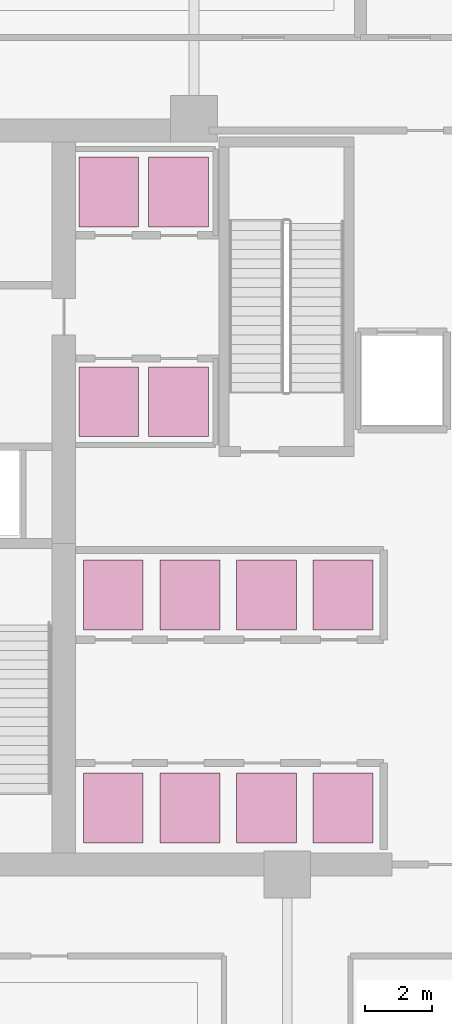
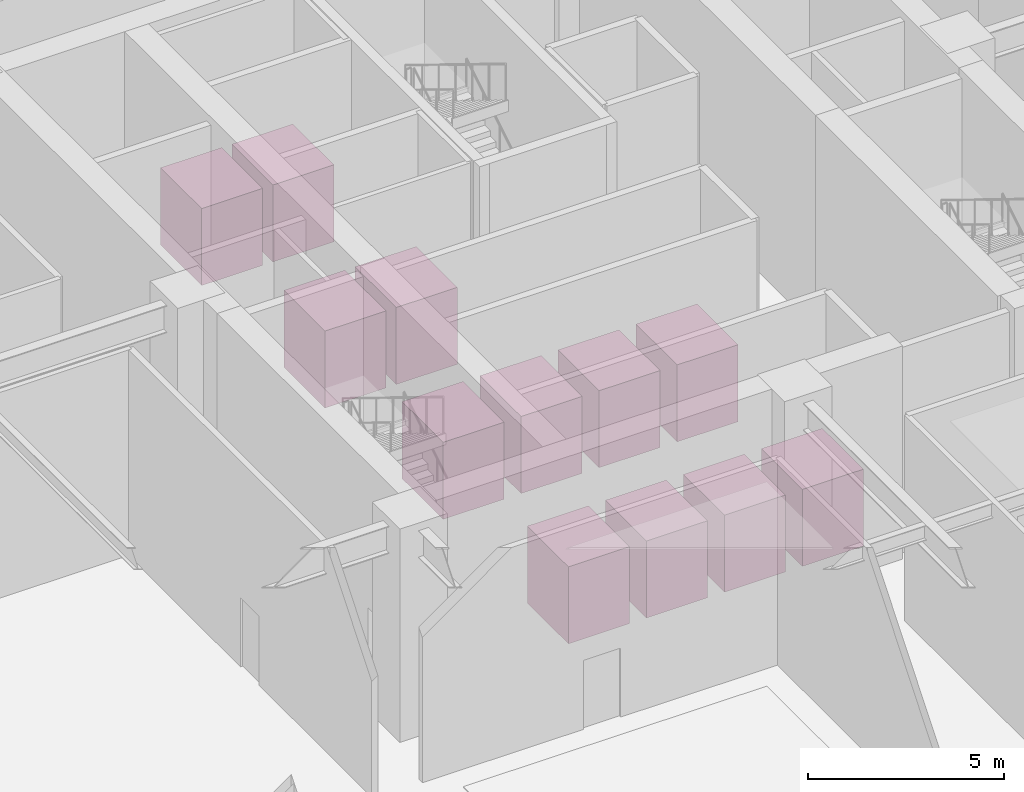
# One storey, part 17 of 17: 12 transport elements.
"""IFC4 building model written with IfcOpenShell, lengths in metres."""

from ifc_helpers import new_model, si_unit, direction, frame, origin, origin_2d, place, context, subcontext, project, spatial, rectangle, extrude, material, type_object, element, save


model = new_model("IFC4")

# Units and contexts
model_context = context("Model", 3, precision=1e-05, world=origin(), true_north=direction((0.0, 1.0)))
body_context = subcontext(model_context, "Body", "Model", "MODEL_VIEW")
ifc_project = project(units=[si_unit("LENGTHUNIT", "METRE"), si_unit("AREAUNIT", "SQUARE_METRE"), si_unit("VOLUMEUNIT", "CUBIC_METRE"), si_unit("PLANEANGLEUNIT", "RADIAN"), si_unit("MASSUNIT", "GRAM", prefix="KILO")], contexts=[model_context])

# Site, building, storey
site_placement = place(None, origin())
site = spatial("IfcSite", under=ifc_project, at=site_placement, CompositionType="ELEMENT")
building_placement = place(site_placement, origin())
building = spatial("IfcBuilding", under=site, at=building_placement, Name="Nhamokura Convention Tower", CompositionType="ELEMENT")
storey_placement = place(building_placement, origin())
storey = spatial("IfcBuildingStorey", under=building, at=storey_placement, Name="L00", CompositionType="ELEMENT", Elevation=0.0)

# Transport elements
ifc_material = material(Name="Anodised bronze stainless steel", Category="steel")
transport_element_type = type_object("IfcTransportElementType", Name="PassengerLiftCar_1800x2100", PredefinedType="ELEVATOR", material=ifc_material)
for number, where, z_axis, x_axis, name in (
    (1, (26.77490234375, 22.64990234375, 0.0), (0.0, 0.0, 1.0), (1.0, 0.0, 0.0), "Elevator Car LP-01"),
    (2, (29.074951171875, 22.64990234375, 0.0), (0.0, 0.0, 1.0), (1.0, 0.0, 0.0), "Elevator Car LP-02"),
    (3, (31.375, 22.64990234375, 0.0), (0.0, 0.0, 1.0), (1.0, 0.0, 0.0), "Elevator Car LP-03"),
    (4, (33.675048828125, 22.64990234375, 0.0), (0.0, 0.0, 1.0), (1.0, 0.0, 0.0), "Elevator Car LP-04"),
    (5, (26.77490234375, 29.050048828125, 0.0), (0.0, 0.0, 1.0), (1.0, 0.0, 0.0), "Elevator Car LP-05"),
    (6, (29.074951171875, 29.050048828125, 0.0), (0.0, 0.0, 1.0), (1.0, 0.0, 0.0), "Elevator Car LP-06"),
    (7, (31.375, 29.050048828125, 0.0), (0.0, 0.0, 1.0), (1.0, 0.0, 0.0), "Elevator Car LP-07"),
    (8, (33.675048828125, 29.050048828125, 0.0), (0.0, 0.0, 1.0), (1.0, 0.0, 0.0), "Elevator Car LP-08"),
    (9, (26.639892578125, 34.85009765625, 0.0), (0.0, 0.0, 1.0), (1.0, 0.0, 0.0), "Elevator Car LP-09"),
    (10, (28.739990234375, 34.85009765625, 0.0), (0.0, 0.0, 1.0), (1.0, 0.0, 0.0), "Elevator Car LP-10"),
    (11, (26.639892578125, 41.14990234375, 0.0), (0.0, 0.0, 1.0), (1.0, 0.0, 0.0), "Elevator Car LP-11"),
    (12, (28.739990234375, 41.14990234375, 0.0), (0.0, 0.0, 1.0), (1.0, 0.0, 0.0), "Elevator Car LP-12"),
):
    element("IfcTransportElement", number, at=place(storey_placement, frame(where, z_axis=z_axis, x_axis=x_axis)), inside=storey, type_object=transport_element_type, Name=name, PredefinedType="ELEVATOR", context=body_context, shape_type="SweptSolid", body=[
        extrude(rectangle(XDim=1.800048828125, YDim=2.10009765625, at=origin_2d()), origin(), (0.0, 0.0, 1.0), 2.39990234375),
    ])

save(model, "model.ifc")
